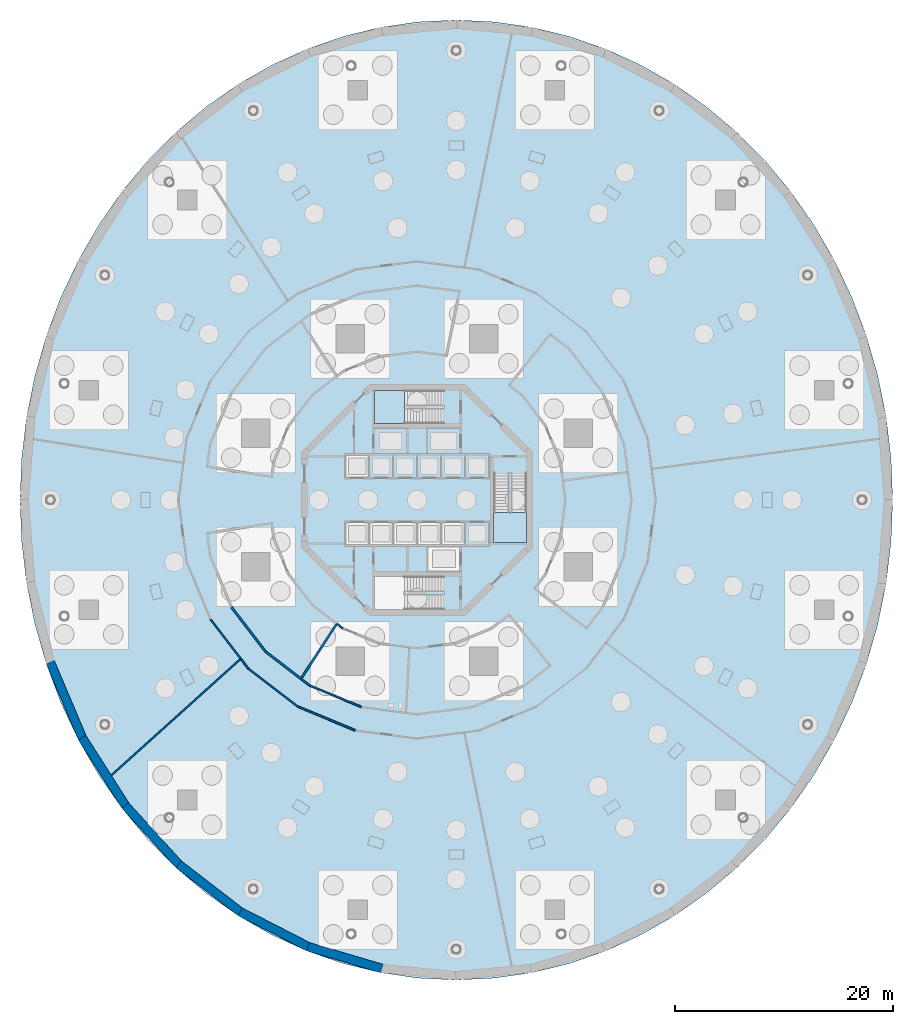
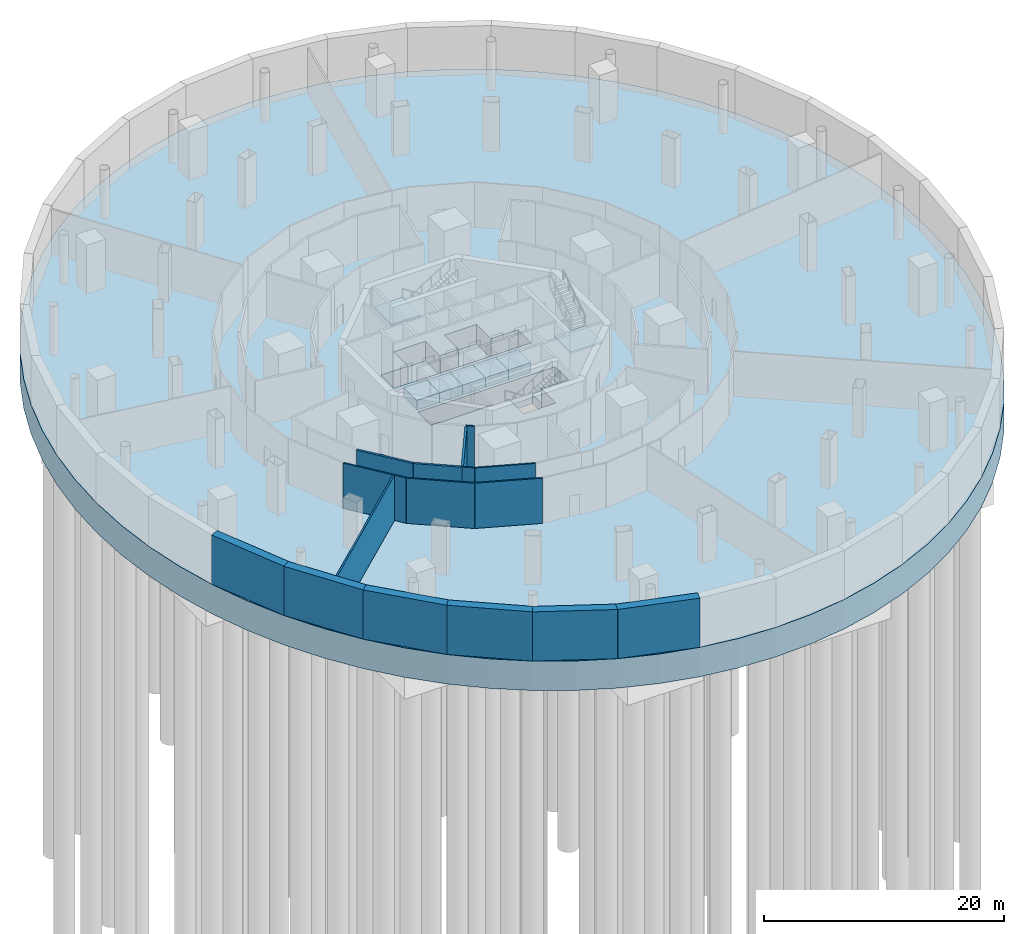
# One storey, part 4 of 14: 17 walls, 11 slabs, 2 elements without a shape of their own.
"""IFC4 building model written with IfcOpenShell, lengths in metres."""

from ifc_helpers import new_model, si_unit, direction, frame, frame_2d, origin, place, context, subcontext, project, spatial, polyline, rectangle, outline, extrude, material, layer, layer_set, type_object, element, aggregate, save


model = new_model("IFC4")

# Units and contexts
model_context = context("Model", 3, precision=1e-05, world=origin(), true_north=direction((0.0, 1.0)))
body_context = subcontext(model_context, "Body", "Model", "MODEL_VIEW")
ifc_project = project(units=[si_unit("LENGTHUNIT", "METRE"), si_unit("AREAUNIT", "SQUARE_METRE"), si_unit("VOLUMEUNIT", "CUBIC_METRE"), si_unit("PLANEANGLEUNIT", "RADIAN"), si_unit("MASSUNIT", "GRAM", prefix="KILO")], contexts=[model_context])

# Site, building, storey
site_placement = place(None, origin())
site = spatial("IfcSite", under=ifc_project, at=site_placement, CompositionType="ELEMENT")
building_placement = place(site_placement, origin())
building = spatial("IfcBuilding", under=site, at=building_placement, Name="Nagisa Residences", CompositionType="ELEMENT")
storey_placement = place(building_placement, frame((0.0, 0.0, -10.0)))
storey = spatial("IfcBuildingStorey", under=building, at=storey_placement, Name="B2", CompositionType="ELEMENT", Elevation=-10.0)

# Slabs
ifc_material_1 = material(Name="Concrete C40", Category="concrete")
ifc_layer_1 = layer(ifc_material_1, 3.0)
ifc_layer_set_1 = layer_set([ifc_layer_1], Name="Floor slab 3000")
slab_type_1 = type_object("IfcSlabType", Name="Floor slab 3000", PredefinedType="BASESLAB", material=ifc_layer_set_1)
slab_1_placement = place(storey_placement, frame((0.0, 0.0, -3.0)))
element("IfcSlab", 1, at=slab_1_placement, inside=storey, type_object=slab_type_1, Name="slab:B2:raft", PredefinedType="BASESLAB", context=body_context, shape_type="SweptSolid", body=[
    extrude(outline(polyline([(43.60009765625, 0.0), (43.44775390625, 3.8349609375), (42.992431640625, 7.640625), (42.237060546875, 11.387939453125), (41.187744140625, 15.048828125), (39.852294921875, 18.59521484375), (38.240966796875, 22.0), (36.365966796875, 25.2373046875), (34.24169921875, 28.28271484375), (31.88427734375, 31.11279296875), (29.3115234375, 33.7060546875), (26.54296875, 36.042724609375), (23.60009765625, 38.105224609375), (20.504638671875, 39.87744140625), (17.28076171875, 41.346435546875), (13.952880859375, 42.500732421875), (10.5458984375, 43.33154296875), (7.086181640625, 43.83251953125), (3.60009765625, 44.0), (0.11376953125, 43.83251953125), (-3.345947265625, 43.33154296875), (-6.752685546875, 42.500732421875), (-10.080810546875, 41.346435546875), (-13.3046875, 39.87744140625), (-16.39990234375, 38.105224609375), (-19.343017578125, 36.042724609375), (-22.111572265625, 33.7060546875), (-24.684326171875, 31.11279296875), (-27.041748046875, 28.28271484375), (-29.166015625, 25.2373046875), (-31.041015625, 22.0), (-32.65234375, 18.59521484375), (-33.98779296875, 15.048828125), (-35.037109375, 11.387939453125), (-35.792236328125, 7.640625), (-36.247802734375, 3.8349609375), (-36.39990234375, 0.0), (-36.247802734375, -3.8349609375), (-35.792236328125, -7.640625), (-35.037109375, -11.387939453125), (-33.98779296875, -15.048828125), (-32.65234375, -18.59521484375), (-31.041015625, -22.0), (-29.166015625, -25.2373046875), (-27.041748046875, -28.28271484375), (-24.684326171875, -31.11279296875), (-22.111572265625, -33.7060546875), (-19.343017578125, -36.042724609375), (-16.39990234375, -38.105224609375), (-13.3046875, -39.87744140625), (-10.080810546875, -41.346435546875), (-6.752685546875, -42.500732421875), (-3.345947265625, -43.33154296875), (0.11376953125, -43.83251953125), (3.60009765625, -44.0), (7.086181640625, -43.83251953125), (10.5458984375, -43.33154296875), (13.952880859375, -42.500732421875), (17.28076171875, -41.346435546875), (20.504638671875, -39.87744140625), (23.60009765625, -38.105224609375), (26.54296875, -36.042724609375), (29.3115234375, -33.7060546875), (31.88427734375, -31.11279296875), (34.24169921875, -28.28271484375), (36.365966796875, -25.2373046875), (38.240966796875, -22.0), (39.852294921875, -18.59521484375), (41.187744140625, -15.048828125), (42.237060546875, -11.387939453125), (42.992431640625, -7.640625), (43.44775390625, -3.8349609375), (43.60009765625, 0.0)]), holes=[polyline([(-4.0, 4.199951171875), (-4.0, 6.60009765625), (-0.89990234375, 6.60009765625), (-0.89990234375, 4.199951171875), (0.89990234375, 4.199951171875), (0.89990234375, 6.60009765625), (4.0, 6.60009765625), (4.0, 4.199951171875), (6.60009765625, 4.199951171875), (6.60009765625, 2.0), (-6.60009765625, 2.0), (-6.60009765625, 4.199951171875), (-4.0, 4.199951171875)]), polyline([(-6.60009765625, -2.0), (6.60009765625, -2.0), (6.60009765625, -4.199951171875), (4.0, -4.199951171875), (4.0, -6.60009765625), (0.89990234375, -6.60009765625), (0.89990234375, -4.199951171875), (-6.60009765625, -4.199951171875), (-6.60009765625, -2.0)])]), origin(), (0.0, 0.0, 1.0), 3.0),
])
ifc_material_2 = material(Name="Concrete C60", Category="concrete")
ifc_layer_2 = layer(ifc_material_2, 1.0)
ifc_layer_set_2 = layer_set([ifc_layer_2], Name="Lift pit slab")
slab_type_2 = type_object("IfcSlabType", Name="Lift pit slab", PredefinedType="BASESLAB", material=ifc_layer_set_2)
slab_2_placement = place(storey_placement, frame((0.0, 0.0, -3.0)))
element("IfcSlab", 2, at=slab_2_placement, inside=storey, type_object=slab_type_2, Name="pit:A2:slab", PredefinedType="BASESLAB", context=body_context, shape_type="SweptSolid", body=[
    extrude(outline(polyline([(-2.199951171875, 2.0), (-4.39990234375, 2.0), (-4.39990234375, 4.199951171875), (-2.199951171875, 4.199951171875), (-2.199951171875, 2.0)])), origin(), (0.0, 0.0, 1.0), 1.0),
])
slab_3_placement = place(storey_placement, frame((0.0, 0.0, -3.0)))
element("IfcSlab", 3, at=slab_3_placement, inside=storey, type_object=slab_type_2, Name="pit:A3:slab", PredefinedType="BASESLAB", context=body_context, shape_type="SweptSolid", body=[
    extrude(outline(polyline([(0.0, 2.0), (-2.199951171875, 2.0), (-2.199951171875, 4.199951171875), (0.0, 4.199951171875), (0.0, 2.0)])), origin(), (0.0, 0.0, 1.0), 1.0),
])
slab_4_placement = place(storey_placement, frame((0.0, 0.0, -3.0)))
element("IfcSlab", 4, at=slab_4_placement, inside=storey, type_object=slab_type_2, Name="pit:B1:slab", PredefinedType="BASESLAB", context=body_context, shape_type="SweptSolid", body=[
    extrude(outline(polyline([(2.199951171875, 2.0), (0.0, 2.0), (0.0, 4.199951171875), (2.199951171875, 4.199951171875), (2.199951171875, 2.0)])), origin(), (0.0, 0.0, 1.0), 1.0),
])
slab_5_placement = place(storey_placement, frame((0.0, 0.0, -3.0)))
element("IfcSlab", 5, at=slab_5_placement, inside=storey, type_object=slab_type_2, Name="pit:B2:slab", PredefinedType="BASESLAB", context=body_context, shape_type="SweptSolid", body=[
    extrude(outline(polyline([(4.39990234375, 2.0), (2.199951171875, 2.0), (2.199951171875, 4.199951171875), (4.39990234375, 4.199951171875), (4.39990234375, 2.0)])), origin(), (0.0, 0.0, 1.0), 1.0),
])
slab_6_placement = place(storey_placement, frame((0.0, 0.0, -3.0)))
element("IfcSlab", 6, at=slab_6_placement, inside=storey, type_object=slab_type_2, Name="pit:C1:slab", PredefinedType="BASESLAB", context=body_context, shape_type="SweptSolid", body=[
    extrude(outline(polyline([(6.60009765625, 2.0), (4.39990234375, 2.0), (4.39990234375, 4.199951171875), (6.60009765625, 4.199951171875), (6.60009765625, 2.0)])), origin(), (0.0, 0.0, 1.0), 1.0),
])
slab_7_placement = place(storey_placement, frame((0.0, 0.0, -3.0)))
element("IfcSlab", 7, at=slab_7_placement, inside=storey, type_object=slab_type_2, Name="pit:C3:slab", PredefinedType="BASESLAB", context=body_context, shape_type="SweptSolid", body=[
    extrude(outline(polyline([(6.60009765625, -4.199951171875), (4.39990234375, -4.199951171875), (4.39990234375, -2.0), (6.60009765625, -2.0), (6.60009765625, -4.199951171875)])), origin(), (0.0, 0.0, 1.0), 1.0),
])
slab_8_placement = place(storey_placement, frame((0.0, 0.0, -3.0)))
element("IfcSlab", 8, at=slab_8_placement, inside=storey, type_object=slab_type_2, Name="pit:FL1:slab", PredefinedType="BASESLAB", context=body_context, shape_type="SweptSolid", body=[
    extrude(outline(polyline([(4.0, 4.199951171875), (0.89990234375, 4.199951171875), (0.89990234375, 6.60009765625), (4.0, 6.60009765625), (4.0, 4.199951171875)])), origin(), (0.0, 0.0, 1.0), 1.0),
])
slab_9_placement = place(storey_placement, frame((0.0, 0.0, -3.0)))
element("IfcSlab", 9, at=slab_9_placement, inside=storey, type_object=slab_type_2, Name="pit:SV:slab", PredefinedType="BASESLAB", context=body_context, shape_type="SweptSolid", body=[
    extrude(outline(polyline([(-0.89990234375, 4.199951171875), (-4.0, 4.199951171875), (-4.0, 6.60009765625), (-0.89990234375, 6.60009765625), (-0.89990234375, 4.199951171875)])), origin(), (0.0, 0.0, 1.0), 1.0),
])

# Stair, slab
ifc_material_3 = material(Name="Concrete C60", Category="concrete")
stair_type = type_object("IfcStairType", Name="Exit stair", PredefinedType="HALF_TURN_STAIR", material=ifc_material_3)
stair_1_placement = place(storey_placement, origin())
stair_1 = element("IfcStair", 10, at=stair_1_placement, inside=storey, type_object=stair_type, Name="B2 Exit stair E", PredefinedType="HALF_TURN_STAIR")
ifc_material_4 = material(Name="Concrete C60", Category="concrete")
ifc_layer_3 = layer(ifc_material_4, 0.199951171875)
ifc_layer_set_3 = layer_set([ifc_layer_3], Name="Stair landing")
slab_type_3 = type_object("IfcSlabType", Name="Stair landing", PredefinedType="LANDING", material=ifc_layer_set_3)
slab_10_placement = place(storey_placement, frame((0.0, 0.0, 2.300048828125)))
slab_10 = element("IfcSlab", 11, at=slab_10_placement, type_object=slab_type_3, Name="ST-E landing 1", PredefinedType="LANDING", context=body_context, shape_type="SweptSolid", body=[
    extrude(outline(polyline([(7.024658203125, -1.1650390625), (7.024658203125, -3.89990234375), (10.024658203125, -3.89990234375), (10.024658203125, -1.1650390625), (7.024658203125, -1.1650390625)])), origin(), (0.0, 0.0, 1.0), 0.199951171875),
])
aggregate(stair_1, [slab_10])

stair_2_placement = place(storey_placement, origin())
stair_2 = element("IfcStair", 12, at=stair_2_placement, inside=storey, type_object=stair_type, Name="B2 Exit stair N", PredefinedType="HALF_TURN_STAIR")
slab_11_placement = place(storey_placement, frame((0.0, 0.0, 2.300048828125)))
slab_11 = element("IfcSlab", 13, at=slab_11_placement, type_object=slab_type_3, Name="ST-N landing 1", PredefinedType="LANDING", context=body_context, shape_type="SweptSolid", body=[
    extrude(outline(polyline([(-1.1650390625, 10.024658203125), (-3.89990234375, 10.024658203125), (-3.89990234375, 7.024658203125), (-1.1650390625, 7.024658203125), (-1.1650390625, 10.024658203125)])), origin(), (0.0, 0.0, 1.0), 0.199951171875),
])
aggregate(stair_2, [slab_11])

# Walls
ifc_material_5 = material(Name="Concrete C40", Category="concrete")
ifc_layer_4 = layer(ifc_material_5, 0.800048828125)
ifc_layer_set_4 = layer_set([ifc_layer_4], Name="Basement retaining wall 800")
wall_type_1 = type_object("IfcWallType", Name="Basement retaining wall 800", PredefinedType="SOLIDWALL", material=ifc_layer_set_4)
wall_1_placement = place(storey_placement, frame((-3.2216796875, -42.95263671875, 0.0), z_axis=(0.0, 0.0, 1.0), x_axis=(-0.959194279998, 0.282747826197, 0.0)))
element("IfcWall", 14, at=wall_1_placement, inside=storey, type_object=wall_type_1, Name="wall:B2:ret11", PredefinedType="SOLIDWALL", context=body_context, shape_type="SweptSolid", body=[
    extrude(rectangle(XDim=7.0458984375, YDim=0.800048828125, at=frame_2d((3.52294921875, 0.0))), origin(), (0.0, 0.0, 1.0), 5.0),
])
wall_2_placement = place(storey_placement, frame((-9.887451171875, -40.99755859375, 0.0), z_axis=(0.0, 0.0, 1.0), x_axis=(-0.889769676124, 0.456409819625, 0.0)))
element("IfcWall", 15, at=wall_2_placement, inside=storey, type_object=wall_type_1, Name="wall:B2:ret12", PredefinedType="SOLIDWALL", context=body_context, shape_type="SweptSolid", body=[
    extrude(rectangle(XDim=7.128173828125, YDim=0.800048828125, at=frame_2d((3.56396484375, 0.0))), origin(), (0.0, 0.0, 1.0), 5.0),
])
wall_3_placement = place(storey_placement, frame((-16.145751953125, -37.797607421875, 0.0), z_axis=(0.0, 0.0, 1.0), x_axis=(-0.792235092298, 0.610215993343, 0.0)))
element("IfcWall", 16, at=wall_3_placement, inside=storey, type_object=wall_type_1, Name="wall:B2:ret13", PredefinedType="SOLIDWALL", context=body_context, shape_type="SweptSolid", body=[
    extrude(rectangle(XDim=7.237548828125, YDim=0.800048828125, at=frame_2d((3.61865234375, 0.0))), origin(), (0.0, 0.0, 1.0), 5.0),
])
wall_4_placement = place(storey_placement, frame((-21.806396484375, -33.44873046875, 0.0), z_axis=(0.0, 0.0, 1.0), x_axis=(-0.672652980875, 0.73995808484, 0.0)))
element("IfcWall", 17, at=wall_4_placement, inside=storey, type_object=wall_type_1, Name="wall:B2:ret14", PredefinedType="SOLIDWALL", context=body_context, shape_type="SweptSolid", body=[
    extrude(rectangle(XDim=7.35986328125, YDim=0.800048828125, at=frame_2d((3.679931640625, 0.0))), origin(), (0.0, 0.0, 1.0), 5.0),
])
wall_5_placement = place(storey_placement, frame((-26.696533203125, -28.08203125, 0.0), z_axis=(0.0, 0.0, 1.0), x_axis=(-0.53698952756, 0.843588908943, 0.0)))
element("IfcWall", 18, at=wall_5_placement, inside=storey, type_object=wall_type_1, Name="wall:B2:ret15", PredefinedType="SOLIDWALL", context=body_context, shape_type="SweptSolid", body=[
    extrude(rectangle(XDim=7.480224609375, YDim=0.800048828125, at=frame_2d((3.740234375, 0.0))), origin(), (0.0, 0.0, 1.0), 5.0),
])
wall_6_placement = place(storey_placement, frame((-30.6669921875, -21.85986328125, 0.0), z_axis=(0.0, 0.0, 1.0), x_axis=(-0.390299354435, 0.920688011179, 0.0)))
element("IfcWall", 19, at=wall_6_placement, inside=storey, type_object=wall_type_1, Name="wall:B2:ret16", PredefinedType="SOLIDWALL", context=body_context, shape_type="SweptSolid", body=[
    extrude(rectangle(XDim=7.58447265625, YDim=0.800048828125, at=frame_2d((3.792236328125, 0.0))), origin(), (0.0, 0.0, 1.0), 5.0),
])
ifc_material_6 = material(Name="Gypsum board on steel studs", Category="steel")
ifc_layer_5 = layer(ifc_material_6, 0.199951171875)
ifc_layer_set_5 = layer_set([ifc_layer_5], Name="Plant room wall EI120 200")
wall_type_2 = type_object("IfcWallType", Name="Plant room wall EI120 200", PredefinedType="PARTITIONING", material=ifc_layer_set_5)
wall_7_placement = place(storey_placement, frame((-17.009765625, -9.837890625, 0.0), z_axis=(0.0, 0.0, 1.0), x_axis=(0.608787255668, -0.79333352213, 0.0)))
element("IfcWall", 20, at=wall_7_placement, inside=storey, type_object=wall_type_2, Name="wall:B2:am048", PredefinedType="PARTITIONING", context=body_context, shape_type="SweptSolid", body=[
    extrude(rectangle(XDim=5.099853515625, YDim=0.199951171875, at=frame_2d((2.5498046875, 0.0))), origin(), (0.0, 0.0, 1.0), 4.60009765625),
])
wall_8_placement = place(storey_placement, frame((-13.8837890625, -13.905029296875, 0.0), z_axis=(0.0, 0.0, 1.0), x_axis=(0.79334357443, -0.608774155916, 0.0)))
element("IfcWall", 21, at=wall_8_placement, inside=storey, type_object=wall_type_2, Name="wall:B2:am050", PredefinedType="PARTITIONING", context=body_context, shape_type="SweptSolid", body=[
    extrude(rectangle(XDim=4.083251953125, YDim=0.199951171875, at=frame_2d((2.04150390625, 0.0))), origin(), (0.0, 0.0, 1.0), 4.60009765625),
])
wall_9_placement = place(storey_placement, frame((-10.58984375, -16.306884765625, 0.0), z_axis=(0.0, 0.0, 1.0), x_axis=(0.544637259436, 0.838671721017, 0.0)))
element("IfcWall", 22, at=wall_9_placement, inside=storey, type_object=wall_type_2, Name="wall:B2:am058", PredefinedType="PARTITIONING", context=body_context, shape_type="SweptSolid", body=[
    extrude(rectangle(XDim=5.818115234375, YDim=0.199951171875, at=frame_2d((2.9091796875, 0.0))), origin(), (0.0, 0.0, 1.0), 4.60009765625),
])
ifc_material_7 = material(Name="Gypsum board on steel studs", Category="steel")
ifc_layer_6 = layer(ifc_material_7, 0.14990234375)
ifc_layer_set_6 = layer_set([ifc_layer_6], Name="Room partition EI60 150")
wall_type_3 = type_object("IfcWallType", Name="Room partition EI60 150", PredefinedType="PARTITIONING", material=ifc_layer_set_6)
wall_10_placement = place(storey_placement, frame((-16.219970703125, -14.6044921875, 0.0), z_axis=(0.0, 0.0, 1.0), x_axis=(-0.743148247847, -0.669126805413, 0.0)))
element("IfcWall", 23, at=wall_10_placement, inside=storey, type_object=wall_type_3, Name="wall:B2:am007", PredefinedType="PARTITIONING", context=body_context, shape_type="SweptSolid", body=[
    extrude(rectangle(XDim=15.894287109375, YDim=0.14990234375, at=frame_2d((7.947265625, 0.0))), origin(), (0.0, 0.0, 1.0), 4.60009765625),
])
wall_11_placement = place(storey_placement, frame((-16.1640625, -14.55419921875, 0.0), z_axis=(0.0, 0.0, 1.0), x_axis=(-0.608722172653, 0.79338346121, 0.0)))
element("IfcWall", 24, at=wall_11_placement, inside=storey, type_object=wall_type_3, Name="wall:B2:am008", PredefinedType="PARTITIONING", context=body_context, shape_type="SweptSolid", body=[
    extrude(rectangle(XDim=4.54931640625, YDim=0.14990234375, at=frame_2d((2.274658203125, 0.0))), origin(), (0.0, 0.0, 1.0), 4.60009765625),
])
wall_12_placement = place(storey_placement, frame((-15.47216796875, -15.45556640625, 0.0), z_axis=(0.0, 0.0, 1.0), x_axis=(-0.608900541086, 0.79324657646, 0.0)))
element("IfcWall", 25, at=wall_12_placement, inside=storey, type_object=wall_type_3, Name="wall:B2:am009", PredefinedType="PARTITIONING", context=body_context, shape_type="SweptSolid", body=[
    extrude(rectangle(XDim=1.13623046875, YDim=0.14990234375, at=frame_2d((0.568115234375, 0.0))), origin(), (0.0, 0.0, 1.0), 4.60009765625),
])
wall_13_placement = place(storey_placement, frame((-10.94482421875, -18.933349609375, 0.0), z_axis=(0.0, 0.0, 1.0), x_axis=(-0.793356107398, 0.608757822828, 0.0)))
element("IfcWall", 26, at=wall_13_placement, inside=storey, type_object=wall_type_3, Name="wall:B2:am013", PredefinedType="PARTITIONING", context=body_context, shape_type="SweptSolid", body=[
    extrude(rectangle(XDim=5.685546875, YDim=0.14990234375, at=frame_2d((2.8427734375, 0.0))), origin(), (0.0, 0.0, 1.0), 4.60009765625),
])
wall_14_placement = place(storey_placement, frame((-10.644287109375, -16.390869140625, 0.0), z_axis=(0.0, 0.0, 1.0), x_axis=(0.793344280216, -0.608773236147, 0.0)))
element("IfcWall", 27, at=wall_14_placement, inside=storey, type_object=wall_type_3, Name="wall:B2:am015", PredefinedType="PARTITIONING", context=body_context, shape_type="SweptSolid", body=[
    extrude(rectangle(XDim=1.019775390625, YDim=0.14990234375, at=frame_2d((0.509765625, 0.0))), origin(), (0.0, 0.0, 1.0), 4.60009765625),
])
wall_15_placement = place(storey_placement, frame((-9.81494140625, -17.0234375, 0.0), z_axis=(0.0, 0.0, 1.0), x_axis=(0.923883976017, -0.382672704618, 0.0)))
element("IfcWall", 28, at=wall_15_placement, inside=storey, type_object=wall_type_3, Name="wall:B2:am016", PredefinedType="PARTITIONING", context=body_context, shape_type="SweptSolid", body=[
    extrude(rectangle(XDim=5.1064453125, YDim=0.14990234375, at=frame_2d((2.55322265625, 0.0))), origin(), (0.0, 0.0, 1.0), 4.60009765625),
])
wall_16_placement = place(storey_placement, frame((-6.809326171875, -11.770751953125, 0.0), z_axis=(0.0, 0.0, 1.0), x_axis=(-0.793360087844, 0.608752635326, 0.0)))
element("IfcWall", 29, at=wall_16_placement, inside=storey, type_object=wall_type_3, Name="wall:B2:am017", PredefinedType="PARTITIONING", context=body_context, shape_type="SweptSolid", body=[
    extrude(rectangle(XDim=0.7021484375, YDim=0.14990234375, at=frame_2d((0.35107421875, 0.0))), origin(), (0.0, 0.0, 1.0), 4.60009765625),
])
wall_17_placement = place(storey_placement, frame((-5.671630859375, -21.120849609375, 0.0), z_axis=(0.0, 0.0, 1.0), x_axis=(-0.923876568882, 0.38269058712, 0.0)))
element("IfcWall", 30, at=wall_17_placement, inside=storey, type_object=wall_type_3, Name="wall:B2:am018", PredefinedType="PARTITIONING", context=body_context, shape_type="SweptSolid", body=[
    extrude(rectangle(XDim=5.685546875, YDim=0.14990234375, at=frame_2d((2.8427734375, 0.0))), origin(), (0.0, 0.0, 1.0), 4.60009765625),
])

save(model, "model.ifc")
